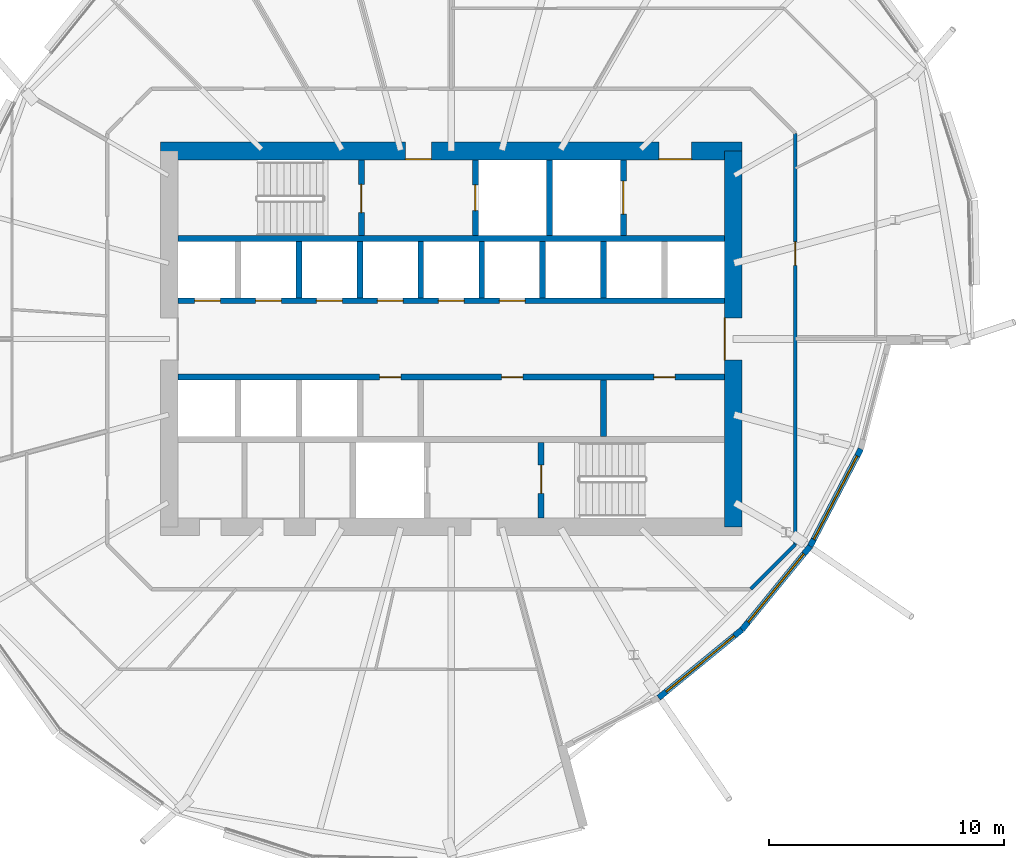
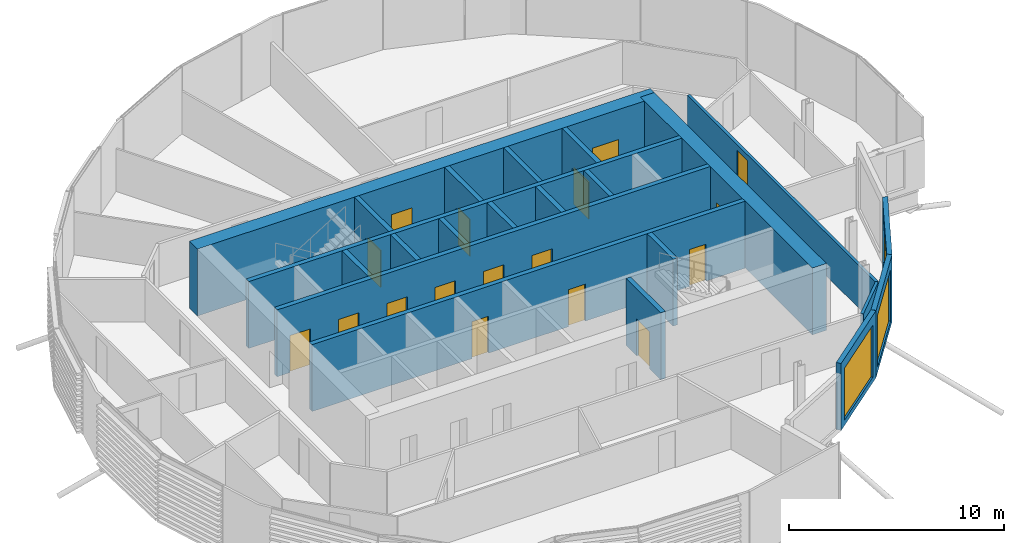
# One storey, part 24 of 39: 22 walls, 17 doors, 3 windows, 20 openings.
"""IFC4 building model written with IfcOpenShell, lengths in metres."""

import ifcopenshell
import ifcopenshell.guid

model = None  # the IFC model being written
_history = None  # IfcOwnerHistory: only IFC2X3 demands one
_inside = {}  # id of a spatial element -> (the spatial element, [elements in it])
_under = {}  # id of a project, library or spatial element -> (it, [spatial elements below it])
_declared = {}  # id of a project -> (the project, [libraries it declares])
_typed = {}  # id of a type object -> (the type object, [elements of that type])
_made_of = {}  # id of a material, layer set ... -> (it, [elements and type objects made of it])


def new_model(schema):
    """Start an empty IFC model of exactly this schema.

    Asked for "IFC4X3", IfcOpenShell would pick the latest addendum, in which some entities
    have other attributes; the version numbers below select the first issue.
    IFC2X3 requires an IfcOwnerHistory on every rooted entity: one is made here for all.
    """
    global model, _history
    if schema == "IFC4X3":
        model = ifcopenshell.file(schema_version=(4, 3, 0, 0))
    else:
        model = ifcopenshell.file(schema=schema)
    _inside.clear()
    _under.clear()
    _declared.clear()
    _typed.clear()
    _made_of.clear()
    _history = None
    if model.schema == "IFC2X3":
        org = make("IfcOrganization", Name="unknown")
        user = make(
            "IfcPersonAndOrganization",
            ThePerson=make("IfcPerson", FamilyName="unknown"),
            TheOrganization=org,
        )
        app = make(
            "IfcApplication",
            ApplicationDeveloper=org,
            Version="unknown",
            ApplicationFullName="unknown",
            ApplicationIdentifier="unknown",
        )
        _history = make(
            "IfcOwnerHistory",
            OwningUser=user,
            OwningApplication=app,
            ChangeAction="ADDED",
            CreationDate=0,
        )
    return model


def make(cls, **values):
    """One entity of the class cls with the attributes given. An attribute that is None is left unset."""
    return model.create_entity(
        cls, **{name: value for name, value in values.items() if value is not None}
    )


def rooted(cls, **values):
    """An entity with a GlobalId (a new one), such as an element, a storey or a relation."""
    return make(cls, GlobalId=ifcopenshell.guid.new(), OwnerHistory=_history, **values)


def si_unit(unit_type, name, prefix=None):
    """IfcSIUnit, for example si_unit("LENGTHUNIT", "METRE", prefix="MILLI")."""
    return make("IfcSIUnit", UnitType=unit_type, Prefix=prefix, Name=name)


def assignment(units):
    """IfcUnitAssignment: the units of a project."""
    return None if units is None else make("IfcUnitAssignment", Units=units)


def point(xyz):
    """IfcCartesianPoint."""
    return None if xyz is None else make("IfcCartesianPoint", Coordinates=xyz)


def direction(xyz):
    """IfcDirection."""
    return None if xyz is None else make("IfcDirection", DirectionRatios=xyz)


def frame(location, z_axis=None, x_axis=None):
    """IfcAxis2Placement3D, a coordinate frame: its origin and axes. An axis left out is left unset."""
    return make(
        "IfcAxis2Placement3D",
        Location=point(location),
        Axis=direction(z_axis),
        RefDirection=direction(x_axis),
    )


def frame_2d(location, x_axis=None):
    """IfcAxis2Placement2D, a coordinate frame in the plane: its origin and x axis."""
    return make(
        "IfcAxis2Placement2D", Location=point(location), RefDirection=direction(x_axis)
    )


def origin():
    """The frame at (0, 0, 0) with its axes left unset."""
    return frame((0.0, 0.0, 0.0))


def place(relative_to, where):
    """IfcLocalPlacement: puts the frame where relative to a parent placement (None: the world)."""
    return make(
        "IfcLocalPlacement", PlacementRelTo=relative_to, RelativePlacement=where
    )


def context(
    kind, dimensions, precision=None, world=None, true_north=None, identifier=None
):
    """IfcGeometricRepresentationContext, for example the 3D "Model" context."""
    return make(
        "IfcGeometricRepresentationContext",
        ContextIdentifier=identifier,
        ContextType=kind,
        CoordinateSpaceDimension=dimensions,
        Precision=precision,
        WorldCoordinateSystem=world,
        TrueNorth=true_north,
    )


def subcontext(parent, identifier, kind, view, scale=None):
    """IfcGeometricRepresentationSubContext, for example "Body" below "Model"."""
    return make(
        "IfcGeometricRepresentationSubContext",
        ContextIdentifier=identifier,
        ContextType=kind,
        ParentContext=parent,
        TargetScale=scale,
        TargetView=view,
    )


def project(units=None, contexts=None):
    """IfcProject with its units and contexts."""
    return rooted(
        "IfcProject",
        Name="project",
        RepresentationContexts=contexts,
        UnitsInContext=assignment(units),
    )


def spatial(cls, under=None, at=None, **own):
    """A site, building, storey or space (cls), placed at a placement, below another one or the project."""
    s = rooted(cls, ObjectPlacement=at, **own)
    if under is not None:
        _under.setdefault(under.id(), (under, []))[1].append(s)
    return s


def profile(cls, at=None, kind="AREA", **sizes):
    """A parametric profile (cls). Its sizes go by their IFC names, for example OverallWidth=200.0."""
    return make(cls, ProfileType=kind, Position=at, **sizes)


def rectangle(**sizes):
    """IfcRectangleProfileDef."""
    return profile("IfcRectangleProfileDef", **sizes)


def extrude(swept, where, along, depth):
    """IfcExtrudedAreaSolid: the profile swept, set in the frame where, extruded along a direction by depth."""
    return make(
        "IfcExtrudedAreaSolid",
        SweptArea=swept,
        Position=where,
        ExtrudedDirection=direction(along),
        Depth=depth,
    )


def shape(context_of_items, identifier, shape_type, items):
    """IfcShapeRepresentation: the items that make up one representation, for example the "Body"."""
    return make(
        "IfcShapeRepresentation",
        ContextOfItems=context_of_items,
        RepresentationIdentifier=identifier,
        RepresentationType=shape_type,
        Items=items,
    )


def material(Name=None, Category=None):
    """IfcMaterial."""
    return make("IfcMaterial", Name=Name, Category=Category)


def layer(
    of_material, thickness, ventilated=None, Name=None, Category=None, Priority=None
):
    """IfcMaterialLayer: one layer of a wall or slab, of a material (None: an air gap)."""
    return make(
        "IfcMaterialLayer",
        Material=of_material,
        LayerThickness=thickness,
        IsVentilated=ventilated,
        Name=Name,
        Category=Category,
        Priority=Priority,
    )


def layer_set(layers, Name=None):
    """IfcMaterialLayerSet."""
    return make("IfcMaterialLayerSet", MaterialLayers=layers, LayerSetName=Name)


def made_of(thing, what):
    """Note that an element or type object is made of a material, layer set ...; save() writes the relation."""
    if what is not None:
        _made_of.setdefault(what.id(), (what, []))[1].append(thing)
    return thing


def type_object(cls, material=None, **own):
    """A type object (cls), such as IfcWallType, which elements share."""
    return made_of(rooted(cls, **own), material)


def element(
    cls,
    number,
    at=None,
    inside=None,
    cuts=None,
    type_object=None,
    material=None,
    context=None,
    identifier="Body",
    shape_type=None,
    held_by="IfcProductDefinitionShape",
    body=None,
    shapes=None,
    **own,
):
    """One element of the class cls, such as IfcWall. Its Tag is "e" and its number.

    at: its placement. inside: the storey or other place that contains it. cuts: it is an
    opening in that element (IfcRelVoidsElement). A single representation is given by context,
    identifier, shape_type and body (its items); several are given by shapes. held_by: the class
    of the entity that holds the representations. save() writes the other relations.
    """
    e = rooted(cls, Tag="e%d" % number, ObjectPlacement=at, **own)
    if body is not None:
        shapes = [shape(context, identifier, shape_type, body)]
    if shapes is not None:
        e.Representation = make(held_by, Representations=shapes)
    if inside is not None:
        _inside.setdefault(inside.id(), (inside, []))[1].append(e)
    if cuts is not None:
        rooted(
            "IfcRelVoidsElement", RelatingBuildingElement=cuts, RelatedOpeningElement=e
        )
    if type_object is not None:
        _typed.setdefault(type_object.id(), (type_object, []))[1].append(e)
    return made_of(e, material)


def fill(opening, filler):
    """IfcRelFillsElement: the door or window that sits in an opening."""
    return rooted(
        "IfcRelFillsElement",
        RelatingOpeningElement=opening,
        RelatedBuildingElement=filler,
    )


def aggregate(whole, parts):
    """IfcRelAggregates: a whole, such as a stair, and the parts it consists of."""
    return rooted("IfcRelAggregates", RelatingObject=whole, RelatedObjects=parts)


def save(model, path):
    """Write the relations noted so far, then the file.

    IfcRelAggregates (storeys below a building ...), IfcRelContainedInSpatialStructure (elements
    in a storey), IfcRelDefinesByType, IfcRelAssociatesMaterial and IfcRelDeclares: one each for
    every whole, place, type object, material and project.
    """
    for whole, parts in _under.values():
        aggregate(whole, parts)
    for where, things in _inside.values():
        rooted(
            "IfcRelContainedInSpatialStructure",
            RelatedElements=things,
            RelatingStructure=where,
        )
    for kind, things in _typed.values():
        rooted("IfcRelDefinesByType", RelatedObjects=things, RelatingType=kind)
    for what, things in _made_of.values():
        rooted("IfcRelAssociatesMaterial", RelatedObjects=things, RelatingMaterial=what)
    for by, libraries in _declared.values():
        rooted("IfcRelDeclares", RelatingContext=by, RelatedDefinitions=libraries)
    model.write(path)


model = new_model("IFC4")

# Units and contexts
model_context = context("Model", 3, precision=1e-05, world=origin(), true_north=direction((0.0, 1.0)))
body_context = subcontext(model_context, "Body", "Model", "MODEL_VIEW")
ifc_project = project(units=[si_unit("LENGTHUNIT", "METRE"), si_unit("AREAUNIT", "SQUARE_METRE"), si_unit("VOLUMEUNIT", "CUBIC_METRE"), si_unit("PLANEANGLEUNIT", "RADIAN"), si_unit("MASSUNIT", "GRAM", prefix="KILO")], contexts=[model_context])

# Site, building, storey
site_placement = place(None, origin())
site = spatial("IfcSite", under=ifc_project, at=site_placement, CompositionType="ELEMENT")
building_placement = place(site_placement, origin())
building = spatial("IfcBuilding", under=site, at=building_placement, Name="Rimbun Link Towers", CompositionType="ELEMENT")
storey_placement = place(building_placement, frame((0.0, 0.0, 96.800048828125)))
storey = spatial("IfcBuildingStorey", under=building, at=storey_placement, Name="L23", CompositionType="ELEMENT", Elevation=96.800048828125)

# Wall, opening, window
ifc_material_1 = material(Name="Dark enamelled glass spandrel on insulated aluminium backpan", Category="aluminium")
ifc_layer_1 = layer(ifc_material_1, 0.25)
ifc_layer_set_1 = layer_set([ifc_layer_1], Name="CS dark enamelled spandrel wall 250")
wall_type_1 = type_object("IfcWallType", Name="CS dark enamelled spandrel wall 250", PredefinedType="STANDARD", material=ifc_layer_set_1)
wall_1_placement = place(storey_placement, frame((44.126220703125, -12.376220703125, 0.0), z_axis=(0.0, 0.0, 1.0), x_axis=(-0.773897956984, -0.633310312703, 0.0)))
wall_1 = element("IfcWall", 1, at=wall_1_placement, inside=storey, type_object=wall_type_1, Name="Crease spandrel wall", PredefinedType="STANDARD", context=body_context, shape_type="SweptSolid", body=[
    extrude(rectangle(XDim=4.582763671875, YDim=0.25, at=frame_2d((2.29150390625, 0.0))), origin(), (0.0, 0.0, 1.0), 3.800048828125),
])
opening_1_placement = place(wall_1_placement, frame((0.416259765625, 0.0, 0.300048828125)))
opening_1 = element("IfcOpeningElement", 2, at=opening_1_placement, cuts=wall_1, Name="Opening WR38H295", PredefinedType="OPENING", context=body_context, shape_type="SweptSolid", body=[
    extrude(rectangle(XDim=3.75, YDim=2.949951171875, at=frame_2d((1.875, 1.47509765625))), frame((0.0, 0.135009765625, 0.0), z_axis=(0.0, -1.0, 0.0), x_axis=(1.0, 0.0, 0.0)), (0.0, 0.0, 1.0), 0.27001953125),
])
ifc_material_2 = material(Name="Aluminium framed fixed window, dark tinted low-e glass", Category="aluminium")
window_type_1 = type_object("IfcWindowType", Name="WR ribbon window 3750X2950", PartitioningType="SINGLE_PANEL", PredefinedType="WINDOW", material=ifc_material_2)
window_1_placement = place(opening_1_placement, origin())
window_1 = element("IfcWindow", 3, at=window_1_placement, inside=storey, type_object=window_type_1, Name="Crease ribbon window", OverallHeight=2.949951171875, OverallWidth=3.75, PartitioningType="SINGLE_PANEL", PredefinedType="WINDOW", context=body_context, shape_type="SweptSolid", body=[
    extrude(rectangle(XDim=3.75, YDim=2.949951171875, at=frame_2d((1.875, 1.47509765625))), frame((0.0, 0.030029296875, 0.0), z_axis=(0.0, -1.0, 0.0), x_axis=(1.0, 0.0, 0.0)), (0.0, 0.0, 1.0), 0.06005859375),
])
fill(opening_1, window_1)

wall_2_placement = place(storey_placement, frame((47.028564453125, -8.82958984375, 0.0), z_axis=(0.0, 0.0, 1.0), x_axis=(-0.633310312703, -0.773897956984, 0.0)))
wall_2 = element("IfcWall", 4, at=wall_2_placement, inside=storey, type_object=wall_type_1, Name="Crease spandrel wall", PredefinedType="STANDARD", context=body_context, shape_type="SweptSolid", body=[
    extrude(rectangle(XDim=4.582763671875, YDim=0.25, at=frame_2d((2.29150390625, 0.0))), origin(), (0.0, 0.0, 1.0), 3.800048828125),
])
opening_2_placement = place(wall_2_placement, frame((0.416259765625, 0.0, 0.300048828125)))
opening_2 = element("IfcOpeningElement", 5, at=opening_2_placement, cuts=wall_2, Name="Opening WR38H295", PredefinedType="OPENING", context=body_context, shape_type="SweptSolid", body=[
    extrude(rectangle(XDim=3.75, YDim=2.949951171875, at=frame_2d((1.875, 1.47509765625))), frame((0.0, 0.135009765625, 0.0), z_axis=(0.0, -1.0, 0.0), x_axis=(1.0, 0.0, 0.0)), (0.0, 0.0, 1.0), 0.27001953125),
])
window_2_placement = place(opening_2_placement, origin())
window_2 = element("IfcWindow", 6, at=window_2_placement, inside=storey, type_object=window_type_1, Name="Crease ribbon window", OverallHeight=2.949951171875, OverallWidth=3.75, PartitioningType="SINGLE_PANEL", PredefinedType="WINDOW", context=body_context, shape_type="SweptSolid", body=[
    extrude(rectangle(XDim=3.75, YDim=2.949951171875, at=frame_2d((1.875, 1.47509765625))), frame((0.0, 0.030029296875, 0.0), z_axis=(0.0, -1.0, 0.0), x_axis=(1.0, 0.0, 0.0)), (0.0, 0.0, 1.0), 0.06005859375),
])
fill(opening_2, window_2)

wall_3_placement = place(storey_placement, frame((49.186279296875, -4.685791015625, 0.0), z_axis=(0.0, 0.0, 1.0), x_axis=(-0.461847922191, -0.886959129142, 0.0)))
wall_3 = element("IfcWall", 7, at=wall_3_placement, inside=storey, type_object=wall_type_1, Name="Crease spandrel wall", PredefinedType="STANDARD", context=body_context, shape_type="SweptSolid", body=[
    extrude(rectangle(XDim=4.671875, YDim=0.25, at=frame_2d((2.3359375, 0.0))), origin(), (0.0, 0.0, 1.0), 3.800048828125),
])
opening_3_placement = place(wall_3_placement, frame((0.3359375, 0.0, 0.300048828125)))
opening_3 = element("IfcOpeningElement", 8, at=opening_3_placement, cuts=wall_3, Name="Opening WR40H295", PredefinedType="OPENING", context=body_context, shape_type="SweptSolid", body=[
    extrude(rectangle(XDim=4.0, YDim=2.949951171875, at=frame_2d((2.0, 1.47509765625))), frame((0.0, 0.135009765625, 0.0), z_axis=(0.0, -1.0, 0.0), x_axis=(1.0, 0.0, 0.0)), (0.0, 0.0, 1.0), 0.27001953125),
])
ifc_material_3 = material(Name="Aluminium framed fixed window, dark tinted low-e glass", Category="aluminium")
window_type_2 = type_object("IfcWindowType", Name="WR ribbon window 4000X2950", PartitioningType="SINGLE_PANEL", PredefinedType="WINDOW", material=ifc_material_3)
window_3_placement = place(opening_3_placement, origin())
window_3 = element("IfcWindow", 9, at=window_3_placement, inside=storey, type_object=window_type_2, Name="Crease ribbon window", OverallHeight=2.949951171875, OverallWidth=4.0, PartitioningType="SINGLE_PANEL", PredefinedType="WINDOW", context=body_context, shape_type="SweptSolid", body=[
    extrude(rectangle(XDim=4.0, YDim=2.949951171875, at=frame_2d((2.0, 1.47509765625))), frame((0.0, 0.030029296875, 0.0), z_axis=(0.0, -1.0, 0.0), x_axis=(1.0, 0.0, 0.0)), (0.0, 0.0, 1.0), 0.06005859375),
])
fill(opening_3, window_3)

# Wall, openings, doors
ifc_material_4 = material(Name="Concrete C60/75", Category="concrete")
ifc_layer_2 = layer(ifc_material_4, 0.75)
ifc_layer_set_2 = layer_set([ifc_layer_2], Name="Core shear wall 750")
wall_type_2 = type_object("IfcWallType", Name="Core shear wall 750", PredefinedType="SHEAR", material=ifc_layer_set_2)
wall_4_placement = place(storey_placement, frame((19.375, 8.0, 0.0), z_axis=(0.0, 0.0, 1.0), x_axis=(1.0, 0.0, 0.0)))
wall_4 = element("IfcWall", 10, at=wall_4_placement, inside=storey, type_object=wall_type_2, Name="L23 T2 core wall N", PredefinedType="SHEAR", context=body_context, shape_type="SweptSolid", body=[
    extrude(rectangle(XDim=24.75, YDim=0.75, at=frame_2d((12.375, 0.0))), origin(), (0.0, 0.0, 1.0), 3.800048828125),
])
opening_4_placement = place(wall_4_placement, frame((10.425048828125, 0.0, 0.0)))
opening_4 = element("IfcOpeningElement", 11, at=opening_4_placement, cuts=wall_4, Name="Opening C2DCF01N", PredefinedType="OPENING", context=body_context, shape_type="SweptSolid", body=[
    extrude(rectangle(XDim=1.10009765625, YDim=2.10009765625, at=frame_2d((0.550048828125, 1.050048828125))), frame((0.0, 0.385009765625, 0.0), z_axis=(0.0, -1.0, 0.0), x_axis=(1.0, 0.0, 0.0)), (0.0, 0.0, 1.0), 0.77001953125),
])
opening_5_placement = place(wall_4_placement, frame((21.21240234375, 0.0, 0.0)))
opening_5 = element("IfcOpeningElement", 12, at=opening_5_placement, cuts=wall_4, Name="Opening C2DSL02N", PredefinedType="OPENING", context=body_context, shape_type="SweptSolid", body=[
    extrude(rectangle(XDim=1.39990234375, YDim=2.10009765625, at=frame_2d((0.699951171875, 1.050048828125))), frame((0.0, 0.385009765625, 0.0), z_axis=(0.0, -1.0, 0.0), x_axis=(1.0, 0.0, 0.0)), (0.0, 0.0, 1.0), 0.77001953125),
])
ifc_material_5 = material(Name="Steel fire door set", Category="steel")
door_type_1 = type_object("IfcDoorType", Name="Core fire door single", OperationType="SINGLE_SWING_LEFT", PredefinedType="DOOR", material=ifc_material_5)
door_1_placement = place(opening_4_placement, origin())
door_1 = element("IfcDoor", 13, at=door_1_placement, inside=storey, type_object=door_type_1, Name="L23 T2 firefighting lobby n door", OperationType="SINGLE_SWING_LEFT", OverallHeight=2.10009765625, OverallWidth=1.10009765625, PredefinedType="DOOR", context=body_context, shape_type="SweptSolid", body=[
    extrude(rectangle(XDim=1.10009765625, YDim=2.10009765625, at=frame_2d((0.550048828125, 1.050048828125))), frame((0.0, -0.3251953125, 0.0), z_axis=(0.0, -1.0, 0.0), x_axis=(1.0, 0.0, 0.0)), (0.0, 0.0, 1.0), 0.050048828125),
])
fill(opening_4, door_1)
ifc_material_6 = material(Name="Steel fire door set", Category="steel")
door_type_2 = type_object("IfcDoorType", Name="Service lobby door double", OperationType="DOUBLE_DOOR_SINGLE_SWING", PredefinedType="DOOR", material=ifc_material_6)
door_2_placement = place(opening_5_placement, origin())
door_2 = element("IfcDoor", 14, at=door_2_placement, inside=storey, type_object=door_type_2, Name="L23 T2 service lobby door", OperationType="DOUBLE_DOOR_SINGLE_SWING", OverallHeight=2.10009765625, OverallWidth=1.39990234375, PredefinedType="DOOR", context=body_context, shape_type="SweptSolid", body=[
    extrude(rectangle(XDim=1.39990234375, YDim=2.10009765625, at=frame_2d((0.699951171875, 1.050048828125))), frame((0.0, -0.3251953125, 0.0), z_axis=(0.0, -1.0, 0.0), x_axis=(1.0, 0.0, 0.0)), (0.0, 0.0, 1.0), 0.050048828125),
])
fill(opening_5, door_2)

# Wall, opening, door
wall_5_placement = place(storey_placement, frame((43.75, -8.0, 0.0), z_axis=(0.0, 0.0, 1.0), x_axis=(0.0, 1.0, 0.0)))
wall_5 = element("IfcWall", 15, at=wall_5_placement, inside=storey, type_object=wall_type_2, Name="L23 T2 core wall E", PredefinedType="SHEAR", context=body_context, shape_type="SweptSolid", body=[
    extrude(rectangle(XDim=16.0, YDim=0.75, at=frame_2d((8.0, 0.0))), origin(), (0.0, 0.0, 1.0), 3.800048828125),
])
opening_6_placement = place(wall_5_placement, frame((7.10009765625, 0.0, 0.0)))
opening_6 = element("IfcOpeningElement", 16, at=opening_6_placement, cuts=wall_5, Name="Opening C2DCL01E", PredefinedType="OPENING", context=body_context, shape_type="SweptSolid", body=[
    extrude(rectangle(XDim=1.800048828125, YDim=2.10009765625, at=frame_2d((0.89990234375, 1.050048828125))), frame((0.0, 0.385009765625, 0.0), z_axis=(0.0, -1.0, 0.0), x_axis=(1.0, 0.0, 0.0)), (0.0, 0.0, 1.0), 0.77001953125),
])
ifc_material_7 = material(Name="Steel fire door set", Category="steel")
door_type_3 = type_object("IfcDoorType", Name="Core lobby door double", OperationType="DOUBLE_DOOR_SINGLE_SWING", PredefinedType="DOOR", material=ifc_material_7)
door_3_placement = place(opening_6_placement, origin())
door_3 = element("IfcDoor", 17, at=door_3_placement, inside=storey, type_object=door_type_3, Name="L23 T2 lift lobby door", OperationType="DOUBLE_DOOR_SINGLE_SWING", OverallHeight=2.10009765625, OverallWidth=1.800048828125, PredefinedType="DOOR", context=body_context, shape_type="SweptSolid", body=[
    extrude(rectangle(XDim=1.800048828125, YDim=2.10009765625, at=frame_2d((0.89990234375, 1.050048828125))), frame((0.0, 0.375, 0.0), z_axis=(0.0, -1.0, 0.0), x_axis=(1.0, 0.0, 0.0)), (0.0, 0.0, 1.0), 0.050048828125),
])
fill(opening_6, door_3)

ifc_material_8 = material(Name="Plasterboard on steel stud, mineral wool", Category="steel")
ifc_layer_3 = layer(ifc_material_8, 0.14990234375)
ifc_layer_set_3 = layer_set([ifc_layer_3], Name="Corridor wall EI 30 150 mm")
wall_type_3 = type_object("IfcWallType", Name="Corridor wall EI 30 150 mm", PredefinedType="PARTITIONING", material=ifc_layer_set_3)
wall_6_placement = place(storey_placement, frame((46.39990234375, 8.751708984375, 0.0), z_axis=(0.0, 0.0, 1.0), x_axis=(0.0, -1.0, 0.0)))
wall_6 = element("IfcWall", 18, at=wall_6_placement, inside=storey, type_object=wall_type_3, Name="Corridor wall EI 30 150 mm", PredefinedType="PARTITIONING", context=body_context, shape_type="SweptSolid", body=[
    extrude(rectangle(XDim=17.50341796875, YDim=0.14990234375, at=frame_2d((8.751708984375, 0.0))), origin(), (0.0, 0.0, 1.0), 2.419921875),
])
opening_7_placement = place(wall_6_placement, frame((4.619140625, 0.0, 0.0)))
opening_7 = element("IfcOpeningElement", 19, at=opening_7_placement, cuts=wall_6, Name="Opening D01", PredefinedType="OPENING", context=body_context, shape_type="SweptSolid", body=[
    extrude(rectangle(XDim=1.0, YDim=2.10009765625, at=frame_2d((0.5, 1.050048828125))), frame((0.0, 0.0849609375, 0.0), z_axis=(0.0, -1.0, 0.0), x_axis=(1.0, 0.0, 0.0)), (0.0, 0.0, 1.0), 0.169921875),
])
ifc_material_9 = material(Name="Fire-resisting timber door leaf", Category="wood")
door_type_4 = type_object("IfcDoorType", Name="Fire door FD30S 1000", OperationType="NOTDEFINED", PredefinedType="DOOR", material=ifc_material_9)
door_4_placement = place(opening_7_placement, origin())
door_4 = element("IfcDoor", 20, at=door_4_placement, inside=storey, type_object=door_type_4, Name="Fire door FD30S 1000 to Reception", OperationType="SINGLE_SWING_LEFT", OverallHeight=2.10009765625, OverallWidth=1.0, PredefinedType="DOOR", context=body_context, shape_type="SweptSolid", body=[
    extrude(rectangle(XDim=1.0, YDim=2.10009765625, at=frame_2d((0.5, 1.050048828125))), frame((0.0, 0.02490234375, 0.0), z_axis=(0.0, -1.0, 0.0), x_axis=(1.0, 0.0, 0.0)), (0.0, 0.0, 1.0), 0.050048828125),
])
fill(opening_7, door_4)

# Walls
wall_7_placement = place(storey_placement, frame((44.501708984375, -10.64990234375, 0.0), z_axis=(0.0, 0.0, 1.0), x_axis=(0.707106781187, 0.707106781187, 0.0)))
element("IfcWall", 21, at=wall_7_placement, inside=storey, type_object=wall_type_3, Name="Corridor wall EI 30 150 mm", PredefinedType="PARTITIONING", context=body_context, shape_type="SweptSolid", body=[
    extrude(rectangle(XDim=2.6845703125, YDim=0.14990234375, at=frame_2d((1.34228515625, 0.0))), origin(), (0.0, 0.0, 1.0), 2.419921875),
])
ifc_material_10 = material(Name="Concrete C60/75", Category="concrete")
ifc_layer_4 = layer(ifc_material_10, 0.25)
ifc_layer_set_4 = layer_set([ifc_layer_4], Name="Shaft wall 250")
wall_type_4 = type_object("IfcWallType", Name="Shaft wall 250", PredefinedType="SHEAR", material=ifc_layer_set_4)
wall_8_placement = place(storey_placement, frame((20.125, 4.27490234375, 0.0), z_axis=(0.0, 0.0, 1.0), x_axis=(1.0, 0.0, 0.0)))
element("IfcWall", 22, at=wall_8_placement, inside=storey, type_object=wall_type_4, Name="L23 T2 core wall BN", PredefinedType="SHEAR", context=body_context, shape_type="SweptSolid", body=[
    extrude(rectangle(XDim=23.25, YDim=0.25, at=frame_2d((11.625, 0.0))), origin(), (0.0, 0.0, 1.0), 3.800048828125),
])

# Wall, openings, doors
wall_9_placement = place(storey_placement, frame((20.125, 1.625, 0.0), z_axis=(0.0, 0.0, 1.0), x_axis=(1.0, 0.0, 0.0)))
wall_9 = element("IfcWall", 23, at=wall_9_placement, inside=storey, type_object=wall_type_4, Name="L23 T2 core wall FN", PredefinedType="SHEAR", context=body_context, shape_type="SweptSolid", body=[
    extrude(rectangle(XDim=23.25, YDim=0.25, at=frame_2d((11.625, 0.0))), origin(), (0.0, 0.0, 1.0), 3.800048828125),
])
opening_8_placement = place(wall_9_placement, frame((0.697265625, 0.0, 0.0)))
opening_8 = element("IfcOpeningElement", 24, at=opening_8_placement, cuts=wall_9, Name="Opening LD-T2-LR1", PredefinedType="OPENING", context=body_context, shape_type="SweptSolid", body=[
    extrude(rectangle(XDim=1.10009765625, YDim=2.10009765625, at=frame_2d((0.550048828125, 1.050048828125))), frame((0.0, 0.135009765625, 0.0), z_axis=(0.0, -1.0, 0.0), x_axis=(1.0, 0.0, 0.0)), (0.0, 0.0, 1.0), 0.27001953125),
])
opening_9_placement = place(wall_9_placement, frame((3.291748046875, 0.0, 0.0)))
opening_9 = element("IfcOpeningElement", 25, at=opening_9_placement, cuts=wall_9, Name="Opening LD-T2-LR2", PredefinedType="OPENING", context=body_context, shape_type="SweptSolid", body=[
    extrude(rectangle(XDim=1.10009765625, YDim=2.10009765625, at=frame_2d((0.550048828125, 1.050048828125))), frame((0.0, 0.135009765625, 0.0), z_axis=(0.0, -1.0, 0.0), x_axis=(1.0, 0.0, 0.0)), (0.0, 0.0, 1.0), 0.27001953125),
])
opening_10_placement = place(wall_9_placement, frame((5.885986328125, 0.0, 0.0)))
opening_10 = element("IfcOpeningElement", 26, at=opening_10_placement, cuts=wall_9, Name="Opening LD-T2-LR3", PredefinedType="OPENING", context=body_context, shape_type="SweptSolid", body=[
    extrude(rectangle(XDim=1.10009765625, YDim=2.10009765625, at=frame_2d((0.550048828125, 1.050048828125))), frame((0.0, 0.135009765625, 0.0), z_axis=(0.0, -1.0, 0.0), x_axis=(1.0, 0.0, 0.0)), (0.0, 0.0, 1.0), 0.27001953125),
])
opening_11_placement = place(wall_9_placement, frame((8.480712890625, 0.0, 0.0)))
opening_11 = element("IfcOpeningElement", 27, at=opening_11_placement, cuts=wall_9, Name="Opening LD-T2-LR4", PredefinedType="OPENING", context=body_context, shape_type="SweptSolid", body=[
    extrude(rectangle(XDim=1.10009765625, YDim=2.10009765625, at=frame_2d((0.550048828125, 1.050048828125))), frame((0.0, 0.135009765625, 0.0), z_axis=(0.0, -1.0, 0.0), x_axis=(1.0, 0.0, 0.0)), (0.0, 0.0, 1.0), 0.27001953125),
])
opening_12_placement = place(wall_9_placement, frame((11.074951171875, 0.0, 0.0)))
opening_12 = element("IfcOpeningElement", 28, at=opening_12_placement, cuts=wall_9, Name="Opening LD-T2-LR5", PredefinedType="OPENING", context=body_context, shape_type="SweptSolid", body=[
    extrude(rectangle(XDim=1.10009765625, YDim=2.10009765625, at=frame_2d((0.550048828125, 1.050048828125))), frame((0.0, 0.135009765625, 0.0), z_axis=(0.0, -1.0, 0.0), x_axis=(1.0, 0.0, 0.0)), (0.0, 0.0, 1.0), 0.27001953125),
])
opening_13_placement = place(wall_9_placement, frame((13.66943359375, 0.0, 0.0)))
opening_13 = element("IfcOpeningElement", 29, at=opening_13_placement, cuts=wall_9, Name="Opening LD-T2-LR6", PredefinedType="OPENING", context=body_context, shape_type="SweptSolid", body=[
    extrude(rectangle(XDim=1.10009765625, YDim=2.10009765625, at=frame_2d((0.550048828125, 1.050048828125))), frame((0.0, 0.135009765625, 0.0), z_axis=(0.0, -1.0, 0.0), x_axis=(1.0, 0.0, 0.0)), (0.0, 0.0, 1.0), 0.27001953125),
])
ifc_material_11 = material(Name="Stainless steel grade 316", Category="steel")
door_type_5 = type_object("IfcDoorType", Name="Lift landing door", OperationType="DOUBLE_DOOR_SLIDING", PredefinedType="DOOR", material=ifc_material_11)
door_5_placement = place(opening_8_placement, origin())
door_5 = element("IfcDoor", 30, at=door_5_placement, inside=storey, type_object=door_type_5, Name="L23 T2 lift LR1 landing door", OperationType="DOUBLE_DOOR_SLIDING", OverallHeight=2.10009765625, OverallWidth=1.10009765625, PredefinedType="DOOR", context=body_context, shape_type="SweptSolid", body=[
    extrude(rectangle(XDim=1.10009765625, YDim=2.10009765625, at=frame_2d((0.550048828125, 1.050048828125))), frame((0.0, 0.02490234375, 0.0), z_axis=(0.0, -1.0, 0.0), x_axis=(1.0, 0.0, 0.0)), (0.0, 0.0, 1.0), 0.050048828125),
])
fill(opening_8, door_5)
door_6_placement = place(opening_9_placement, origin())
door_6 = element("IfcDoor", 31, at=door_6_placement, inside=storey, type_object=door_type_5, Name="L23 T2 lift LR2 landing door", OperationType="DOUBLE_DOOR_SLIDING", OverallHeight=2.10009765625, OverallWidth=1.10009765625, PredefinedType="DOOR", context=body_context, shape_type="SweptSolid", body=[
    extrude(rectangle(XDim=1.10009765625, YDim=2.10009765625, at=frame_2d((0.550048828125, 1.050048828125))), frame((0.0, 0.02490234375, 0.0), z_axis=(0.0, -1.0, 0.0), x_axis=(1.0, 0.0, 0.0)), (0.0, 0.0, 1.0), 0.050048828125),
])
fill(opening_9, door_6)
door_7_placement = place(opening_10_placement, origin())
door_7 = element("IfcDoor", 32, at=door_7_placement, inside=storey, type_object=door_type_5, Name="L23 T2 lift LR3 landing door", OperationType="DOUBLE_DOOR_SLIDING", OverallHeight=2.10009765625, OverallWidth=1.10009765625, PredefinedType="DOOR", context=body_context, shape_type="SweptSolid", body=[
    extrude(rectangle(XDim=1.10009765625, YDim=2.10009765625, at=frame_2d((0.550048828125, 1.050048828125))), frame((0.0, 0.02490234375, 0.0), z_axis=(0.0, -1.0, 0.0), x_axis=(1.0, 0.0, 0.0)), (0.0, 0.0, 1.0), 0.050048828125),
])
fill(opening_10, door_7)
door_8_placement = place(opening_11_placement, origin())
door_8 = element("IfcDoor", 33, at=door_8_placement, inside=storey, type_object=door_type_5, Name="L23 T2 lift LR4 landing door", OperationType="DOUBLE_DOOR_SLIDING", OverallHeight=2.10009765625, OverallWidth=1.10009765625, PredefinedType="DOOR", context=body_context, shape_type="SweptSolid", body=[
    extrude(rectangle(XDim=1.10009765625, YDim=2.10009765625, at=frame_2d((0.550048828125, 1.050048828125))), frame((0.0, 0.02490234375, 0.0), z_axis=(0.0, -1.0, 0.0), x_axis=(1.0, 0.0, 0.0)), (0.0, 0.0, 1.0), 0.050048828125),
])
fill(opening_11, door_8)
door_9_placement = place(opening_12_placement, origin())
door_9 = element("IfcDoor", 34, at=door_9_placement, inside=storey, type_object=door_type_5, Name="L23 T2 lift LR5 landing door", OperationType="DOUBLE_DOOR_SLIDING", OverallHeight=2.10009765625, OverallWidth=1.10009765625, PredefinedType="DOOR", context=body_context, shape_type="SweptSolid", body=[
    extrude(rectangle(XDim=1.10009765625, YDim=2.10009765625, at=frame_2d((0.550048828125, 1.050048828125))), frame((0.0, 0.02490234375, 0.0), z_axis=(0.0, -1.0, 0.0), x_axis=(1.0, 0.0, 0.0)), (0.0, 0.0, 1.0), 0.050048828125),
])
fill(opening_12, door_9)
door_10_placement = place(opening_13_placement, origin())
door_10 = element("IfcDoor", 35, at=door_10_placement, inside=storey, type_object=door_type_5, Name="L23 T2 lift LR6 landing door", OperationType="DOUBLE_DOOR_SLIDING", OverallHeight=2.10009765625, OverallWidth=1.10009765625, PredefinedType="DOOR", context=body_context, shape_type="SweptSolid", body=[
    extrude(rectangle(XDim=1.10009765625, YDim=2.10009765625, at=frame_2d((0.550048828125, 1.050048828125))), frame((0.0, 0.02490234375, 0.0), z_axis=(0.0, -1.0, 0.0), x_axis=(1.0, 0.0, 0.0)), (0.0, 0.0, 1.0), 0.050048828125),
])
fill(opening_13, door_10)

wall_10_placement = place(storey_placement, frame((20.125, -1.625, 0.0), z_axis=(0.0, 0.0, 1.0), x_axis=(1.0, 0.0, 0.0)))
wall_10 = element("IfcWall", 36, at=wall_10_placement, inside=storey, type_object=wall_type_4, Name="L23 T2 core wall FS", PredefinedType="SHEAR", context=body_context, shape_type="SweptSolid", body=[
    extrude(rectangle(XDim=23.25, YDim=0.25, at=frame_2d((11.625, 0.0))), origin(), (0.0, 0.0, 1.0), 3.800048828125),
])
opening_14_placement = place(wall_10_placement, frame((8.58056640625, 0.0, 0.0)))
opening_14 = element("IfcOpeningElement", 37, at=opening_14_placement, cuts=wall_10, Name="Opening C2DRS01FS", PredefinedType="OPENING", context=body_context, shape_type="SweptSolid", body=[
    extrude(rectangle(XDim=0.89990234375, YDim=2.10009765625, at=frame_2d((0.449951171875, 1.050048828125))), frame((0.0, 0.135009765625, 0.0), z_axis=(0.0, -1.0, 0.0), x_axis=(1.0, 0.0, 0.0)), (0.0, 0.0, 1.0), 0.27001953125),
])
opening_15_placement = place(wall_10_placement, frame((13.769287109375, 0.0, 0.0)))
opening_15 = element("IfcOpeningElement", 38, at=opening_15_placement, cuts=wall_10, Name="Opening C2DRS02FS", PredefinedType="OPENING", context=body_context, shape_type="SweptSolid", body=[
    extrude(rectangle(XDim=0.89990234375, YDim=2.10009765625, at=frame_2d((0.449951171875, 1.050048828125))), frame((0.0, 0.135009765625, 0.0), z_axis=(0.0, -1.0, 0.0), x_axis=(1.0, 0.0, 0.0)), (0.0, 0.0, 1.0), 0.27001953125),
])
opening_16_placement = place(wall_10_placement, frame((20.255615234375, 0.0, 0.0)))
opening_16 = element("IfcOpeningElement", 39, at=opening_16_placement, cuts=wall_10, Name="Opening C2DRS03FS", PredefinedType="OPENING", context=body_context, shape_type="SweptSolid", body=[
    extrude(rectangle(XDim=0.89990234375, YDim=2.10009765625, at=frame_2d((0.449951171875, 1.050048828125))), frame((0.0, 0.135009765625, 0.0), z_axis=(0.0, -1.0, 0.0), x_axis=(1.0, 0.0, 0.0)), (0.0, 0.0, 1.0), 0.27001953125),
])
ifc_material_12 = material(Name="Steel fire door set", Category="steel")
door_type_6 = type_object("IfcDoorType", Name="Core riser door", OperationType="SINGLE_SWING_LEFT", PredefinedType="DOOR", material=ifc_material_12)
door_11_placement = place(opening_14_placement, origin())
door_11 = element("IfcDoor", 40, at=door_11_placement, inside=storey, type_object=door_type_6, Name="L23 T2 stationery store door", OperationType="SINGLE_SWING_LEFT", OverallHeight=2.10009765625, OverallWidth=0.89990234375, PredefinedType="DOOR", context=body_context, shape_type="SweptSolid", body=[
    extrude(rectangle(XDim=0.89990234375, YDim=2.10009765625, at=frame_2d((0.449951171875, 1.050048828125))), frame((0.0, 0.02490234375, 0.0), z_axis=(0.0, -1.0, 0.0), x_axis=(1.0, 0.0, 0.0)), (0.0, 0.0, 1.0), 0.050048828125),
])
fill(opening_14, door_11)
door_12_placement = place(opening_15_placement, origin())
door_12 = element("IfcDoor", 41, at=door_12_placement, inside=storey, type_object=door_type_6, Name="L23 T2 records store door", OperationType="SINGLE_SWING_LEFT", OverallHeight=2.10009765625, OverallWidth=0.89990234375, PredefinedType="DOOR", context=body_context, shape_type="SweptSolid", body=[
    extrude(rectangle(XDim=0.89990234375, YDim=2.10009765625, at=frame_2d((0.449951171875, 1.050048828125))), frame((0.0, 0.02490234375, 0.0), z_axis=(0.0, -1.0, 0.0), x_axis=(1.0, 0.0, 0.0)), (0.0, 0.0, 1.0), 0.050048828125),
])
fill(opening_15, door_12)
door_13_placement = place(opening_16_placement, origin())
door_13 = element("IfcDoor", 42, at=door_13_placement, inside=storey, type_object=door_type_6, Name="L23 T2 print room door", OperationType="SINGLE_SWING_RIGHT", OverallHeight=2.10009765625, OverallWidth=0.89990234375, PredefinedType="DOOR", context=body_context, shape_type="SweptSolid", body=[
    extrude(rectangle(XDim=0.89990234375, YDim=2.10009765625, at=frame_2d((0.449951171875, 1.050048828125))), frame((0.0, 0.02490234375, 0.0), z_axis=(0.0, -1.0, 0.0), x_axis=(1.0, 0.0, 0.0)), (0.0, 0.0, 1.0), 0.050048828125),
])
fill(opening_16, door_13)

# Walls
for number, where, z_axis, x_axis, name in (
    (43, (25.263916015625, 1.75, 0.0), (0.0, 0.0, 1.0), (0.0, 1.0, 0.0), "L23 T2 core wall DN1"),
    (44, (27.8583984375, 1.75, 0.0), (0.0, 0.0, 1.0), (0.0, 1.0, 0.0), "L23 T2 core wall DN2"),
    (45, (30.452880859375, 1.75, 0.0), (0.0, 0.0, 1.0), (0.0, 1.0, 0.0), "L23 T2 core wall DN3"),
    (46, (33.047119140625, 1.75, 0.0), (0.0, 0.0, 1.0), (0.0, 1.0, 0.0), "L23 T2 core wall DN4"),
    (47, (35.6416015625, 1.75, 0.0), (0.0, 0.0, 1.0), (0.0, 1.0, 0.0), "L23 T2 core wall DN5"),
    (48, (38.236083984375, 1.75, 0.0), (0.0, 0.0, 1.0), (0.0, 1.0, 0.0), "L23 T2 core wall DN6"),
    (49, (38.236083984375, -4.14990234375, 0.0), (0.0, 0.0, 1.0), (0.0, 1.0, 0.0), "L23 T2 core wall DS6"),
):
    element("IfcWall", number, at=place(storey_placement, frame(where, z_axis=z_axis, x_axis=x_axis)), inside=storey, type_object=wall_type_4, Name=name, PredefinedType="SHEAR", context=body_context, shape_type="SweptSolid", body=[
        extrude(rectangle(XDim=2.39990234375, YDim=0.25, at=frame_2d((1.199951171875, 0.0))), origin(), (0.0, 0.0, 1.0), 3.800048828125),
    ])

# Wall, opening, door
wall_11_placement = place(storey_placement, frame((27.925048828125, 4.39990234375, 0.0), z_axis=(0.0, 0.0, 1.0), x_axis=(0.0, 1.0, 0.0)))
wall_11 = element("IfcWall", 50, at=wall_11_placement, inside=storey, type_object=wall_type_4, Name="L23 T2 core wall A1", PredefinedType="SHEAR", context=body_context, shape_type="SweptSolid", body=[
    extrude(rectangle(XDim=3.22509765625, YDim=0.25, at=frame_2d((1.612548828125, 0.0))), origin(), (0.0, 0.0, 1.0), 3.800048828125),
])
opening_17_placement = place(wall_11_placement, frame((0.97509765625, 0.0, 0.0)))
opening_17 = element("IfcOpeningElement", 51, at=opening_17_placement, cuts=wall_11, Name="Opening C2DST01A1", PredefinedType="OPENING", context=body_context, shape_type="SweptSolid", body=[
    extrude(rectangle(XDim=1.199951171875, YDim=2.10009765625, at=frame_2d((0.60009765625, 1.050048828125))), frame((0.0, 0.135009765625, 0.0), z_axis=(0.0, -1.0, 0.0), x_axis=(1.0, 0.0, 0.0)), (0.0, 0.0, 1.0), 0.27001953125),
])
ifc_material_13 = material(Name="Steel fire door set", Category="steel")
door_type_7 = type_object("IfcDoorType", Name="Stair door", OperationType="SINGLE_SWING_LEFT", PredefinedType="DOOR", material=ifc_material_13)
door_14_placement = place(opening_17_placement, origin())
door_14 = element("IfcDoor", 52, at=door_14_placement, inside=storey, type_object=door_type_7, Name="L23 T2 stair a door", OperationType="SINGLE_SWING_RIGHT", OverallHeight=2.10009765625, OverallWidth=1.199951171875, PredefinedType="DOOR", context=body_context, shape_type="SweptSolid", body=[
    extrude(rectangle(XDim=1.199951171875, YDim=2.10009765625, at=frame_2d((0.60009765625, 1.050048828125))), frame((0.0, 0.02490234375, 0.0), z_axis=(0.0, -1.0, 0.0), x_axis=(1.0, 0.0, 0.0)), (0.0, 0.0, 1.0), 0.050048828125),
])
fill(opening_17, door_14)

wall_12_placement = place(storey_placement, frame((32.77490234375, 4.39990234375, 0.0), z_axis=(0.0, 0.0, 1.0), x_axis=(0.0, 1.0, 0.0)))
wall_12 = element("IfcWall", 53, at=wall_12_placement, inside=storey, type_object=wall_type_4, Name="L23 T2 core wall A2", PredefinedType="SHEAR", context=body_context, shape_type="SweptSolid", body=[
    extrude(rectangle(XDim=3.22509765625, YDim=0.25, at=frame_2d((1.612548828125, 0.0))), origin(), (0.0, 0.0, 1.0), 3.800048828125),
])
opening_18_placement = place(wall_12_placement, frame((1.0625, 0.0, 0.0)))
opening_18 = element("IfcOpeningElement", 54, at=opening_18_placement, cuts=wall_12, Name="Opening LD-T2-FF1", PredefinedType="OPENING", context=body_context, shape_type="SweptSolid", body=[
    extrude(rectangle(XDim=1.10009765625, YDim=2.10009765625, at=frame_2d((0.550048828125, 1.050048828125))), frame((0.0, 0.135009765625, 0.0), z_axis=(0.0, -1.0, 0.0), x_axis=(1.0, 0.0, 0.0)), (0.0, 0.0, 1.0), 0.27001953125),
])
door_15_placement = place(opening_18_placement, origin())
door_15 = element("IfcDoor", 55, at=door_15_placement, inside=storey, type_object=door_type_5, Name="L23 T2 lift FF1 landing door", OperationType="DOUBLE_DOOR_SLIDING", OverallHeight=2.10009765625, OverallWidth=1.10009765625, PredefinedType="DOOR", context=body_context, shape_type="SweptSolid", body=[
    extrude(rectangle(XDim=1.10009765625, YDim=2.10009765625, at=frame_2d((0.550048828125, 1.050048828125))), frame((0.0, 0.02490234375, 0.0), z_axis=(0.0, -1.0, 0.0), x_axis=(1.0, 0.0, 0.0)), (0.0, 0.0, 1.0), 0.050048828125),
])
fill(opening_18, door_15)

# Wall
wall_13_placement = place(storey_placement, frame((35.925048828125, 4.39990234375, 0.0), z_axis=(0.0, 0.0, 1.0), x_axis=(0.0, 1.0, 0.0)))
element("IfcWall", 56, at=wall_13_placement, inside=storey, type_object=wall_type_4, Name="L23 T2 core wall A3", PredefinedType="SHEAR", context=body_context, shape_type="SweptSolid", body=[
    extrude(rectangle(XDim=3.22509765625, YDim=0.25, at=frame_2d((1.612548828125, 0.0))), origin(), (0.0, 0.0, 1.0), 3.800048828125),
])

# Wall, opening, door
wall_14_placement = place(storey_placement, frame((39.074951171875, 4.39990234375, 0.0), z_axis=(0.0, 0.0, 1.0), x_axis=(0.0, 1.0, 0.0)))
wall_14 = element("IfcWall", 57, at=wall_14_placement, inside=storey, type_object=wall_type_4, Name="L23 T2 core wall A4", PredefinedType="SHEAR", context=body_context, shape_type="SweptSolid", body=[
    extrude(rectangle(XDim=3.22509765625, YDim=0.25, at=frame_2d((1.612548828125, 0.0))), origin(), (0.0, 0.0, 1.0), 3.800048828125),
])
opening_19_placement = place(wall_14_placement, frame((0.91259765625, 0.0, 0.0)))
opening_19 = element("IfcOpeningElement", 58, at=opening_19_placement, cuts=wall_14, Name="Opening LD-T2-GL1", PredefinedType="OPENING", context=body_context, shape_type="SweptSolid", body=[
    extrude(rectangle(XDim=1.39990234375, YDim=2.10009765625, at=frame_2d((0.699951171875, 1.050048828125))), frame((0.0, 0.135009765625, 0.0), z_axis=(0.0, -1.0, 0.0), x_axis=(1.0, 0.0, 0.0)), (0.0, 0.0, 1.0), 0.27001953125),
])
ifc_material_14 = material(Name="Stainless steel grade 316", Category="steel")
door_type_8 = type_object("IfcDoorType", Name="Goods lift landing door", OperationType="DOUBLE_DOOR_SLIDING", PredefinedType="DOOR", material=ifc_material_14)
door_16_placement = place(opening_19_placement, origin())
door_16 = element("IfcDoor", 59, at=door_16_placement, inside=storey, type_object=door_type_8, Name="L23 T2 lift GL1 landing door", OperationType="DOUBLE_DOOR_SLIDING", OverallHeight=2.10009765625, OverallWidth=1.39990234375, PredefinedType="DOOR", context=body_context, shape_type="SweptSolid", body=[
    extrude(rectangle(XDim=1.39990234375, YDim=2.10009765625, at=frame_2d((0.699951171875, 1.050048828125))), frame((0.0, 0.02490234375, 0.0), z_axis=(0.0, -1.0, 0.0), x_axis=(1.0, 0.0, 0.0)), (0.0, 0.0, 1.0), 0.050048828125),
])
fill(opening_19, door_16)

wall_15_placement = place(storey_placement, frame((35.574951171875, -4.39990234375, 0.0), z_axis=(0.0, 0.0, 1.0), x_axis=(0.0, -1.0, 0.0)))
wall_15 = element("IfcWall", 60, at=wall_15_placement, inside=storey, type_object=wall_type_4, Name="L23 T2 core wall B1", PredefinedType="SHEAR", context=body_context, shape_type="SweptSolid", body=[
    extrude(rectangle(XDim=3.22509765625, YDim=0.25, at=frame_2d((1.612548828125, 0.0))), origin(), (0.0, 0.0, 1.0), 3.800048828125),
])
opening_20_placement = place(wall_15_placement, frame((0.97509765625, 0.0, 0.0)))
opening_20 = element("IfcOpeningElement", 61, at=opening_20_placement, cuts=wall_15, Name="Opening C2DST01B1", PredefinedType="OPENING", context=body_context, shape_type="SweptSolid", body=[
    extrude(rectangle(XDim=1.199951171875, YDim=2.10009765625, at=frame_2d((0.60009765625, 1.050048828125))), frame((0.0, 0.135009765625, 0.0), z_axis=(0.0, -1.0, 0.0), x_axis=(1.0, 0.0, 0.0)), (0.0, 0.0, 1.0), 0.27001953125),
])
door_17_placement = place(opening_20_placement, origin())
door_17 = element("IfcDoor", 62, at=door_17_placement, inside=storey, type_object=door_type_7, Name="L23 T2 stair b door", OperationType="SINGLE_SWING_RIGHT", OverallHeight=2.10009765625, OverallWidth=1.199951171875, PredefinedType="DOOR", context=body_context, shape_type="SweptSolid", body=[
    extrude(rectangle(XDim=1.199951171875, YDim=2.10009765625, at=frame_2d((0.60009765625, 1.050048828125))), frame((0.0, 0.02490234375, 0.0), z_axis=(0.0, -1.0, 0.0), x_axis=(1.0, 0.0, 0.0)), (0.0, 0.0, 1.0), 0.050048828125),
])
fill(opening_20, door_17)

save(model, "model.ifc")
